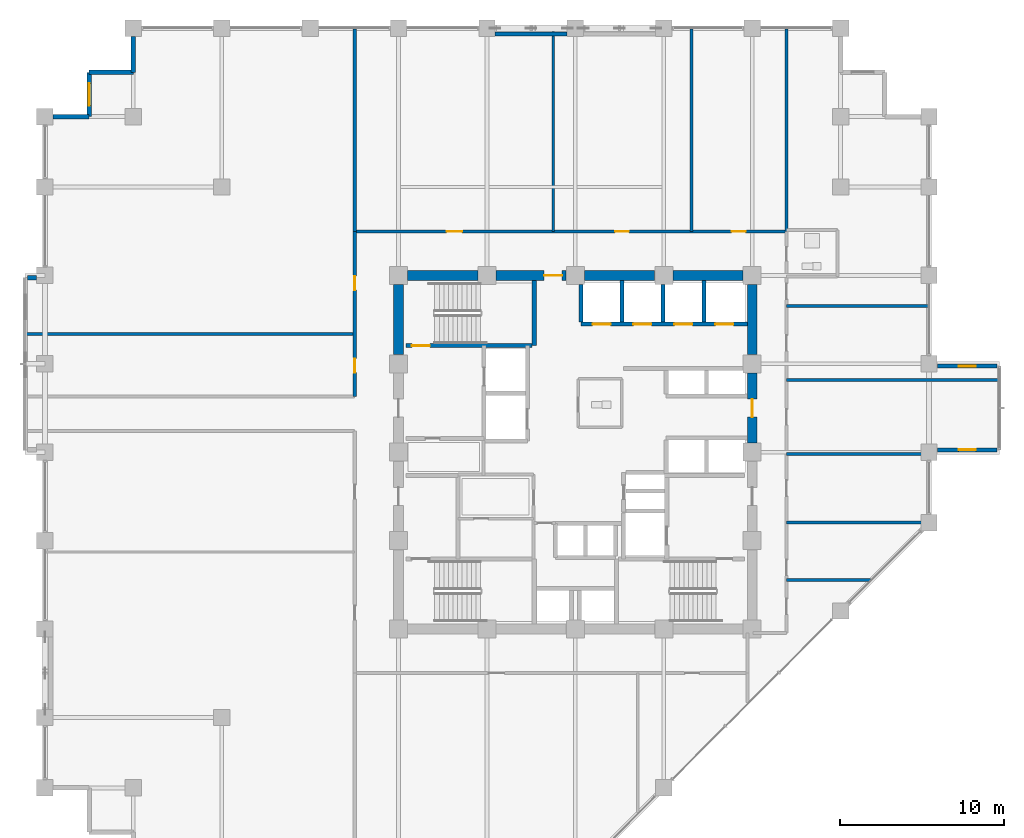
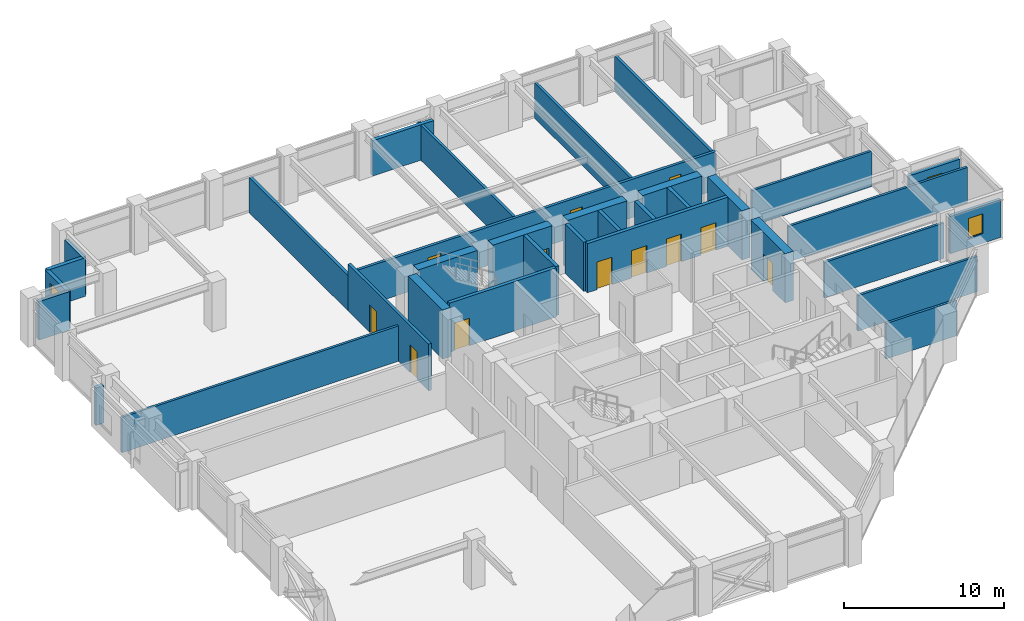
# One storey, part 21 of 26: 34 walls, 12 doors, 3 windows, 15 openings.
"""IFC4 building model written with IfcOpenShell, lengths in metres."""

from ifc_helpers import new_model, si_unit, direction, frame, frame_2d, origin, place, context, subcontext, project, spatial, rectangle, extrude, material, layer, layer_set, type_object, element, fill, save


model = new_model("IFC4")

# Units and contexts
model_context = context("Model", 3, precision=1e-05, world=origin(), true_north=direction((0.0, 1.0)))
body_context = subcontext(model_context, "Body", "Model", "MODEL_VIEW")
ifc_project = project(units=[si_unit("LENGTHUNIT", "METRE"), si_unit("AREAUNIT", "SQUARE_METRE"), si_unit("VOLUMEUNIT", "CUBIC_METRE"), si_unit("PLANEANGLEUNIT", "RADIAN"), si_unit("MASSUNIT", "GRAM", prefix="KILO")], contexts=[model_context])

# Site, building, storey
site_placement = place(None, origin())
site = spatial("IfcSite", under=ifc_project, at=site_placement, CompositionType="ELEMENT")
building_placement = place(site_placement, origin())
building = spatial("IfcBuilding", under=site, at=building_placement, Name="Surkhivell Harbour Commons", CompositionType="ELEMENT")
storey_placement = place(building_placement, frame((0.0, 0.0, 147.0)))
storey = spatial("IfcBuildingStorey", under=building, at=storey_placement, Name="L38", CompositionType="ELEMENT", Elevation=147.0)

# Wall
ifc_material_1 = material(Name="Concrete C60/75", Category="concrete")
ifc_layer_1 = layer(ifc_material_1, 0.60009765625)
ifc_layer_set_1 = layer_set([ifc_layer_1], Name="Concrete C60/75")
wall_type_1 = type_object("IfcWallType", Name="WAL-CORE-600", PredefinedType="SHEAR", material=ifc_layer_set_1)
wall_1_placement = place(storey_placement, frame((-10.239990234375, 10.800048828125, 0.0), z_axis=(0.0, 0.0, 1.0), x_axis=(1.0, 0.0, 0.0)))
element("IfcWall", 1, at=wall_1_placement, inside=storey, type_object=wall_type_1, Name="L38 Core Shear Wall North 1", PredefinedType="SHEAR", context=body_context, shape_type="SweptSolid", body=[
    extrude(rectangle(XDim=4.280029296875, YDim=0.60009765625, at=frame_2d((2.14013671875, 0.0))), origin(), (0.0, 0.0, 1.0), 3.75),
])

# Wall, opening, door
wall_2_placement = place(storey_placement, frame((-4.840087890625, 10.800048828125, 0.0), z_axis=(0.0, 0.0, 1.0), x_axis=(1.0, 0.0, 0.0)))
wall_2 = element("IfcWall", 2, at=wall_2_placement, inside=storey, type_object=wall_type_1, Name="L38 Core Shear Wall North 2", PredefinedType="SHEAR", context=body_context, shape_type="SweptSolid", body=[
    extrude(rectangle(XDim=4.280029296875, YDim=0.60009765625, at=frame_2d((2.14013671875, 0.0))), origin(), (0.0, 0.0, 1.0), 3.75),
])
opening_1_placement = place(wall_2_placement, frame((2.929931640625, 0.0, 0.0)))
opening_1 = element("IfcOpeningElement", 3, at=opening_1_placement, cuts=wall_2, Name="Opening ID-2", PredefinedType="OPENING", context=body_context, shape_type="SweptSolid", body=[
    extrude(rectangle(XDim=1.10009765625, YDim=2.10009765625, at=frame_2d((0.550048828125, 1.050048828125))), frame((0.0, 0.31005859375, 0.0), z_axis=(0.0, -1.0, 0.0), x_axis=(1.0, 0.0, 0.0)), (0.0, 0.0, 1.0), 0.6201171875),
])
ifc_material_2 = material(Name="Hardwood-veneered fire-rated door leaf", Category="wood")
door_type_1 = type_object("IfcDoorType", Name="DOR-FD60-1100", OperationType="NOTDEFINED", PredefinedType="DOOR", material=ifc_material_2)
door_1_placement = place(opening_1_placement, origin())
door_1 = element("IfcDoor", 4, at=door_1_placement, inside=storey, type_object=door_type_1, Name="L38 Central Core Lift Hall North Corridor Door", OperationType="SINGLE_SWING_LEFT", OverallHeight=2.10009765625, OverallWidth=1.10009765625, PredefinedType="DOOR", context=body_context, shape_type="SweptSolid", body=[
    extrude(rectangle(XDim=1.10009765625, YDim=2.10009765625, at=frame_2d((0.550048828125, 1.050048828125))), frame((0.0, 0.02490234375, 0.0), z_axis=(0.0, -1.0, 0.0), x_axis=(1.0, 0.0, 0.0)), (0.0, 0.0, 1.0), 0.050048828125),
])
fill(opening_1, door_1)

# Wall
wall_3_placement = place(storey_placement, frame((0.56005859375, 10.800048828125, 0.0), z_axis=(0.0, 0.0, 1.0), x_axis=(1.0, 0.0, 0.0)))
element("IfcWall", 5, at=wall_3_placement, inside=storey, type_object=wall_type_1, Name="L38 Core Shear Wall North 3", PredefinedType="SHEAR", context=body_context, shape_type="SweptSolid", body=[
    extrude(rectangle(XDim=4.280029296875, YDim=0.60009765625, at=frame_2d((2.14013671875, 0.0))), origin(), (0.0, 0.0, 1.0), 3.75),
])

# Wall, opening, door
wall_4_placement = place(storey_placement, frame((10.800048828125, 0.56005859375, 0.0), z_axis=(0.0, 0.0, 1.0), x_axis=(0.0, 1.0, 0.0)))
wall_4 = element("IfcWall", 6, at=wall_4_placement, inside=storey, type_object=wall_type_1, Name="L38 Core Shear Wall East 3", PredefinedType="SHEAR", context=body_context, shape_type="SweptSolid", body=[
    extrude(rectangle(XDim=4.280029296875, YDim=0.60009765625, at=frame_2d((2.14013671875, 0.0))), origin(), (0.0, 0.0, 1.0), 3.75),
])
opening_2_placement = place(wall_4_placement, frame((1.590087890625, 0.0, 0.0)))
opening_2 = element("IfcOpeningElement", 7, at=opening_2_placement, cuts=wall_4, Name="Opening ID-2", PredefinedType="OPENING", context=body_context, shape_type="SweptSolid", body=[
    extrude(rectangle(XDim=1.10009765625, YDim=2.10009765625, at=frame_2d((0.550048828125, 1.050048828125))), frame((0.0, 0.31005859375, 0.0), z_axis=(0.0, -1.0, 0.0), x_axis=(1.0, 0.0, 0.0)), (0.0, 0.0, 1.0), 0.6201171875),
])
door_2_placement = place(opening_2_placement, origin())
door_2 = element("IfcDoor", 8, at=door_2_placement, inside=storey, type_object=door_type_1, Name="L38 Mid-Rise Lobby East Door", OperationType="SINGLE_SWING_LEFT", OverallHeight=2.10009765625, OverallWidth=1.10009765625, PredefinedType="DOOR", context=body_context, shape_type="SweptSolid", body=[
    extrude(rectangle(XDim=1.10009765625, YDim=2.10009765625, at=frame_2d((0.550048828125, 1.050048828125))), frame((0.0, 0.02490234375, 0.0), z_axis=(0.0, -1.0, 0.0), x_axis=(1.0, 0.0, 0.0)), (0.0, 0.0, 1.0), 0.050048828125),
])
fill(opening_2, door_2)

# Walls
for number, where, z_axis, x_axis, name in (
    (9, (5.9599609375, 10.800048828125, 0.0), (0.0, 0.0, 1.0), (1.0, 0.0, 0.0), "L38 Core Shear Wall North 4"),
    (10, (-10.800048828125, 5.9599609375, 0.0), (0.0, 0.0, 1.0), (0.0, 1.0, 0.0), "L38 Core Shear Wall West 4"),
    (11, (10.800048828125, 5.9599609375, 0.0), (0.0, 0.0, 1.0), (0.0, 1.0, 0.0), "L38 Core Shear Wall East 4"),
):
    element("IfcWall", number, at=place(storey_placement, frame(where, z_axis=z_axis, x_axis=x_axis)), inside=storey, type_object=wall_type_1, Name=name, PredefinedType="SHEAR", context=body_context, shape_type="SweptSolid", body=[
        extrude(rectangle(XDim=4.280029296875, YDim=0.60009765625, at=frame_2d((2.14013671875, 0.0))), origin(), (0.0, 0.0, 1.0), 3.75),
    ])
ifc_material_3 = material(Name="Pale-metal insulated precast concrete C45/55", Category="concrete")
ifc_layer_2 = layer(ifc_material_3, 0.260009765625)
ifc_layer_set_2 = layer_set([ifc_layer_2], Name="Pale-metal insulated precast concrete C45/55")
wall_type_2 = type_object("IfcWallType", Name="WAL-EXT-MTL260", PredefinedType="STANDARD", material=ifc_layer_set_2)
wall_5_placement = place(storey_placement, frame((-0.498046875, 25.5400390625, 0.0), z_axis=(0.0, 0.0, 1.0), x_axis=(-1.0, 0.0, 0.0)))
element("IfcWall", 12, at=wall_5_placement, inside=storey, type_object=wall_type_2, Name="L38 Braced-Bay Insulated Spandrel Backing N", PredefinedType="STANDARD", context=body_context, shape_type="SweptSolid", body=[
    extrude(rectangle(XDim=4.404052734375, YDim=0.260009765625, at=frame_2d((2.2021484375, 0.0))), origin(), (0.0, 0.0, 1.0), 2.698974609375),
])

# Wall, opening, window
ifc_material_4 = material(Name="Bronze-ochre cassette precast concrete C45/55", Category="concrete")
ifc_layer_3 = layer(ifc_material_4, 0.239990234375)
ifc_layer_set_3 = layer_set([ifc_layer_3], Name="Bronze-ochre cassette precast concrete C45/55")
wall_type_3 = type_object("IfcWallType", Name="WAL-EXT-OCH240", PredefinedType="STANDARD", material=ifc_layer_set_3)
wall_6_placement = place(storey_placement, frame((22.10400390625, 0.139892578125, 0.0), z_axis=(0.0, 0.0, 1.0), x_axis=(1.0, 0.0, 0.0)))
wall_6 = element("IfcWall", 13, at=wall_6_placement, inside=storey, type_object=wall_type_3, Name="L38 Coloured Box Return Wall 01S", PredefinedType="STANDARD", context=body_context, shape_type="SweptSolid", body=[
    extrude(rectangle(XDim=3.656005859375, YDim=0.239990234375, at=frame_2d((1.828125, 0.0))), origin(), (0.0, 0.0, 1.0), 2.85693359375),
])
opening_3_placement = place(wall_6_placement, frame((1.302978515625, 0.0, 0.75)))
opening_3 = element("IfcOpeningElement", 14, at=opening_3_placement, cuts=wall_6, Name="Opening WN-11", PredefinedType="OPENING", context=body_context, shape_type="SweptSolid", body=[
    extrude(rectangle(XDim=1.050048828125, YDim=1.5, at=frame_2d((0.52490234375, 0.75))), frame((0.0, 0.1298828125, 0.0), z_axis=(0.0, -1.0, 0.0), x_axis=(1.0, 0.0, 0.0)), (0.0, 0.0, 1.0), 0.260009765625),
])
ifc_material_5 = material(Name="Thermal-break aluminium frame and double low-E glazing", Category="aluminium")
window_type_1 = type_object("IfcWindowType", Name="WIN-SER-1050x1500", PartitioningType="SINGLE_PANEL", PredefinedType="WINDOW", material=ifc_material_5)
window_1_placement = place(opening_3_placement, origin())
window_1 = element("IfcWindow", 15, at=window_1_placement, inside=storey, type_object=window_type_1, Name="L38 Coloured Box Return Window 01S", OverallHeight=1.5, OverallWidth=1.050048828125, PartitioningType="SINGLE_PANEL", PredefinedType="WINDOW", context=body_context, shape_type="SweptSolid", body=[
    extrude(rectangle(XDim=1.050048828125, YDim=1.5, at=frame_2d((0.52490234375, 0.75))), frame((0.0, 0.030029296875, 0.0), z_axis=(0.0, -1.0, 0.0), x_axis=(1.0, 0.0, 0.0)), (0.0, 0.0, 1.0), 0.06005859375),
])
fill(opening_3, window_1)

wall_7_placement = place(storey_placement, frame((22.10400390625, 5.260009765625, 0.0), z_axis=(0.0, 0.0, 1.0), x_axis=(1.0, 0.0, 0.0)))
wall_7 = element("IfcWall", 16, at=wall_7_placement, inside=storey, type_object=wall_type_3, Name="L38 Coloured Box Return Wall 01N", PredefinedType="STANDARD", context=body_context, shape_type="SweptSolid", body=[
    extrude(rectangle(XDim=3.656005859375, YDim=0.239990234375, at=frame_2d((1.828125, 0.0))), origin(), (0.0, 0.0, 1.0), 2.85693359375),
])
opening_4_placement = place(wall_7_placement, frame((1.302978515625, 0.0, 0.75)))
opening_4 = element("IfcOpeningElement", 17, at=opening_4_placement, cuts=wall_7, Name="Opening WN-11", PredefinedType="OPENING", context=body_context, shape_type="SweptSolid", body=[
    extrude(rectangle(XDim=1.050048828125, YDim=1.5, at=frame_2d((0.52490234375, 0.75))), frame((0.0, 0.1298828125, 0.0), z_axis=(0.0, -1.0, 0.0), x_axis=(1.0, 0.0, 0.0)), (0.0, 0.0, 1.0), 0.260009765625),
])
window_2_placement = place(opening_4_placement, origin())
window_2 = element("IfcWindow", 18, at=window_2_placement, inside=storey, type_object=window_type_1, Name="L38 Coloured Box Return Window 01N", OverallHeight=1.5, OverallWidth=1.050048828125, PartitioningType="SINGLE_PANEL", PredefinedType="WINDOW", context=body_context, shape_type="SweptSolid", body=[
    extrude(rectangle(XDim=1.050048828125, YDim=1.5, at=frame_2d((0.52490234375, 0.75))), frame((0.0, 0.030029296875, 0.0), z_axis=(0.0, -1.0, 0.0), x_axis=(1.0, 0.0, 0.0)), (0.0, 0.0, 1.0), 0.06005859375),
])
fill(opening_4, window_2)

# Walls
ifc_material_6 = material(Name="Terracotta-clad reinforced concrete C45/55", Category="masonry")
ifc_layer_4 = layer(ifc_material_6, 0.280029296875)
ifc_layer_set_4 = layer_set([ifc_layer_4], Name="Terracotta-clad reinforced concrete C45/55")
wall_type_4 = type_object("IfcWallType", Name="WAL-EXT-TER280", PredefinedType="STANDARD", material=ifc_layer_set_4)
wall_8_placement = place(storey_placement, frame((-27.0, 25.402099609375, 0.0), z_axis=(0.0, 0.0, 1.0), x_axis=(0.0, -1.0, 0.0)))
element("IfcWall", 19, at=wall_8_placement, inside=storey, type_object=wall_type_4, Name="L38 Serrated Corner Facade Wall 08", PredefinedType="STANDARD", context=body_context, shape_type="SweptSolid", body=[
    extrude(rectangle(XDim=2.2021484375, YDim=0.280029296875, at=frame_2d((1.10107421875, 0.0))), origin(), (0.0, 0.0, 1.0), 2.93310546875),
])
wall_9_placement = place(storey_placement, frame((-27.0, 23.199951171875, 0.0), z_axis=(0.0, 0.0, 1.0), x_axis=(-1.0, 0.0, 0.0)))
element("IfcWall", 20, at=wall_9_placement, inside=storey, type_object=wall_type_4, Name="L38 Serrated Corner Facade Wall 09", PredefinedType="STANDARD", context=body_context, shape_type="SweptSolid", body=[
    extrude(rectangle(XDim=2.699951171875, YDim=0.280029296875, at=frame_2d((1.35009765625, 0.0))), origin(), (0.0, 0.0, 1.0), 2.93310546875),
])

# Wall, opening, window
wall_10_placement = place(storey_placement, frame((-29.699951171875, 23.199951171875, 0.0), z_axis=(0.0, 0.0, 1.0), x_axis=(0.0, -1.0, 0.0)))
wall_10 = element("IfcWall", 21, at=wall_10_placement, inside=storey, type_object=wall_type_4, Name="L38 Serrated Corner Facade Wall 10", PredefinedType="STANDARD", context=body_context, shape_type="SweptSolid", body=[
    extrude(rectangle(XDim=2.699951171875, YDim=0.280029296875, at=frame_2d((1.35009765625, 0.0))), origin(), (0.0, 0.0, 1.0), 2.93310546875),
])
opening_5_placement = place(wall_10_placement, frame((0.675048828125, 0.0, 0.64990234375)))
opening_5 = element("IfcOpeningElement", 22, at=opening_5_placement, cuts=wall_10, Name="Opening WN-08", PredefinedType="OPENING", context=body_context, shape_type="SweptSolid", body=[
    extrude(rectangle(XDim=1.35009765625, YDim=1.64990234375, at=frame_2d((0.675048828125, 0.824951171875))), frame((0.0, 0.14990234375, 0.0), z_axis=(0.0, -1.0, 0.0), x_axis=(1.0, 0.0, 0.0)), (0.0, 0.0, 1.0), 0.300048828125),
])
window_type_2 = type_object("IfcWindowType", Name="WIN-SER-1350x1650", PartitioningType="SINGLE_PANEL", PredefinedType="WINDOW", material=ifc_material_5)
window_3_placement = place(opening_5_placement, origin())
window_3 = element("IfcWindow", 23, at=window_3_placement, inside=storey, type_object=window_type_2, Name="L38 Serrated Alcove Window 10", OverallHeight=1.64990234375, OverallWidth=1.35009765625, PartitioningType="SINGLE_PANEL", PredefinedType="WINDOW", context=body_context, shape_type="SweptSolid", body=[
    extrude(rectangle(XDim=1.35009765625, YDim=1.64990234375, at=frame_2d((0.675048828125, 0.824951171875))), frame((0.0, 0.030029296875, 0.0), z_axis=(0.0, -1.0, 0.0), x_axis=(1.0, 0.0, 0.0)), (0.0, 0.0, 1.0), 0.06005859375),
])
fill(opening_5, window_3)

# Walls
wall_11_placement = place(storey_placement, frame((-29.699951171875, 20.5, 0.0), z_axis=(0.0, 0.0, 1.0), x_axis=(-1.0, 0.0, 0.0)))
element("IfcWall", 24, at=wall_11_placement, inside=storey, type_object=wall_type_4, Name="L38 Serrated Corner Facade Wall 11", PredefinedType="STANDARD", context=body_context, shape_type="SweptSolid", body=[
    extrude(rectangle(XDim=2.2021484375, YDim=0.280029296875, at=frame_2d((1.10107421875, 0.0))), origin(), (0.0, 0.0, 1.0), 2.93310546875),
])
wall_12_placement = place(storey_placement, frame((-33.4599609375, 10.659912109375, 0.0), z_axis=(0.0, 0.0, 1.0), x_axis=(1.0, 0.0, 0.0)))
element("IfcWall", 25, at=wall_12_placement, inside=storey, type_object=wall_type_4, Name="L38 Coloured Box Return Wall 02N", PredefinedType="STANDARD", context=body_context, shape_type="SweptSolid", body=[
    extrude(rectangle(XDim=0.555908203125, YDim=0.280029296875, at=frame_2d((0.27783203125, 0.0))), origin(), (0.0, 0.0, 1.0), 2.85693359375),
])
ifc_material_7 = material(Name="High-density acoustic blockwork fire partition", Category="masonry")
ifc_layer_5 = layer(ifc_material_7, 0.175048828125)
ifc_layer_set_5 = layer_set([ifc_layer_5], Name="High-density acoustic blockwork fire partition")
wall_type_5 = type_object("IfcWallType", Name="WAL-INT-175", PredefinedType="PARTITIONING", material=ifc_layer_set_5)
wall_13_placement = place(storey_placement, frame((12.89990234375, -4.2900390625, 0.0), z_axis=(0.0, 0.0, 1.0), x_axis=(1.0, 0.0, 0.0)))
element("IfcWall", 26, at=wall_13_placement, inside=storey, type_object=wall_type_5, Name="L38 East Partition BDP1", PredefinedType="PARTITIONING", context=body_context, shape_type="SweptSolid", body=[
    extrude(rectangle(XDim=8.625244140625, YDim=0.175048828125, at=frame_2d((4.3125, 0.0))), origin(), (0.0, 0.0, 1.0), 2.698974609375),
])
wall_14_placement = place(storey_placement, frame((12.89990234375, -0.10009765625, 0.0), z_axis=(0.0, 0.0, 1.0), x_axis=(1.0, 0.0, 0.0)))
element("IfcWall", 27, at=wall_14_placement, inside=storey, type_object=wall_type_5, Name="L38 East Partition BDP2", PredefinedType="PARTITIONING", context=body_context, shape_type="SweptSolid", body=[
    extrude(rectangle(XDim=8.64013671875, YDim=0.175048828125, at=frame_2d((4.320068359375, 0.0))), origin(), (0.0, 0.0, 1.0), 2.698974609375),
])
wall_15_placement = place(storey_placement, frame((12.89990234375, 4.409912109375, 0.0), z_axis=(0.0, 0.0, 1.0), x_axis=(1.0, 0.0, 0.0)))
element("IfcWall", 28, at=wall_15_placement, inside=storey, type_object=wall_type_5, Name="L38 East Partition BDP3", PredefinedType="PARTITIONING", context=body_context, shape_type="SweptSolid", body=[
    extrude(rectangle(XDim=12.940185546875, YDim=0.175048828125, at=frame_2d((6.47021484375, 0.0))), origin(), (0.0, 0.0, 1.0), 2.698974609375),
])
wall_16_placement = place(storey_placement, frame((12.89990234375, -7.800048828125, 0.0), z_axis=(0.0, 0.0, 1.0), x_axis=(1.0, 0.0, 0.0)))
element("IfcWall", 29, at=wall_16_placement, inside=storey, type_object=wall_type_5, Name="L38 East Partition PBOT", PredefinedType="PARTITIONING", context=body_context, shape_type="SweptSolid", body=[
    extrude(rectangle(XDim=5.115234375, YDim=0.175048828125, at=frame_2d((2.5576171875, 0.0))), origin(), (0.0, 0.0, 1.0), 2.698974609375),
])
wall_17_placement = place(storey_placement, frame((12.89990234375, 8.929931640625, 0.0), z_axis=(0.0, 0.0, 1.0), x_axis=(1.0, 0.0, 0.0)))
element("IfcWall", 30, at=wall_17_placement, inside=storey, type_object=wall_type_5, Name="L38 East Partition PTOP", PredefinedType="PARTITIONING", context=body_context, shape_type="SweptSolid", body=[
    extrude(rectangle(XDim=8.64013671875, YDim=0.175048828125, at=frame_2d((4.320068359375, 0.0))), origin(), (0.0, 0.0, 1.0), 2.698974609375),
])
for number, where, z_axis, x_axis, name in (
    (31, (-1.35009765625, 13.47998046875, 0.0), (0.0, 0.0, 1.0), (0.0, 1.0, 0.0), "L38 North Partition P1"),
    (32, (7.10009765625, 13.47998046875, 0.0), (0.0, 0.0, 1.0), (0.0, 1.0, 0.0), "L38 North Partition P2"),
):
    element("IfcWall", number, at=place(storey_placement, frame(where, z_axis=z_axis, x_axis=x_axis)), inside=storey, type_object=wall_type_5, Name=name, PredefinedType="PARTITIONING", context=body_context, shape_type="SweptSolid", body=[
        extrude(rectangle(XDim=12.360107421875, YDim=0.175048828125, at=frame_2d((6.18017578125, 0.0))), origin(), (0.0, 0.0, 1.0), 2.698974609375),
    ])
wall_18_placement = place(storey_placement, frame((-33.5400390625, 7.22998046875, 0.0), z_axis=(0.0, 0.0, 1.0), x_axis=(1.0, 0.0, 0.0)))
element("IfcWall", 33, at=wall_18_placement, inside=storey, type_object=wall_type_5, Name="L38 North-West Partition P1", PredefinedType="PARTITIONING", context=body_context, shape_type="SweptSolid", body=[
    extrude(rectangle(XDim=20.06005859375, YDim=0.175048828125, at=frame_2d((10.030029296875, 0.0))), origin(), (0.0, 0.0, 1.0), 2.698974609375),
])
ifc_material_8 = material(Name="Autoclaved aerated concrete blockwork and fire plaster", Category="masonry")
ifc_layer_6 = layer(ifc_material_8, 0.199951171875)
ifc_layer_set_6 = layer_set([ifc_layer_6], Name="Autoclaved aerated concrete blockwork and fire plaster")
wall_type_6 = type_object("IfcWallType", Name="WAL-INT-200", PredefinedType="PARTITIONING", material=ifc_layer_set_6)
for number, where, z_axis, x_axis, name in (
    (34, (12.89990234375, 13.47998046875, 0.0), (0.0, 0.0, 1.0), (0.0, 1.0, 0.0), "L38 North-East Wing Corner Divider"),
    (35, (-13.47998046875, 13.47998046875, 0.0), (0.0, 0.0, 1.0), (0.0, 1.0, 0.0), "L38 North-West Wing Corner Divider"),
):
    element("IfcWall", number, at=place(storey_placement, frame(where, z_axis=z_axis, x_axis=x_axis)), inside=storey, type_object=wall_type_6, Name=name, PredefinedType="PARTITIONING", context=body_context, shape_type="SweptSolid", body=[
        extrude(rectangle(XDim=12.360107421875, YDim=0.199951171875, at=frame_2d((6.18017578125, 0.0))), origin(), (0.0, 0.0, 1.0), 2.698974609375),
    ])

# Wall, openings, doors
wall_19_placement = place(storey_placement, frame((-13.47998046875, 13.47998046875, 0.0), z_axis=(0.0, 0.0, 1.0), x_axis=(1.0, 0.0, 0.0)))
wall_19 = element("IfcWall", 36, at=wall_19_placement, inside=storey, type_object=wall_type_6, Name="L38 Corridor North Wall", PredefinedType="PARTITIONING", context=body_context, shape_type="SweptSolid", body=[
    extrude(rectangle(XDim=26.3798828125, YDim=0.199951171875, at=frame_2d((13.18994140625, 0.0))), origin(), (0.0, 0.0, 1.0), 2.93310546875),
])
opening_6_placement = place(wall_19_placement, frame((5.614990234375, 0.0, 0.0)))
opening_6 = element("IfcOpeningElement", 37, at=opening_6_placement, cuts=wall_19, Name="Opening ID-4", PredefinedType="OPENING", context=body_context, shape_type="SweptSolid", body=[
    extrude(rectangle(XDim=0.949951171875, YDim=2.10009765625, at=frame_2d((0.47509765625, 1.050048828125))), frame((0.0, 0.10986328125, 0.0), z_axis=(0.0, -1.0, 0.0), x_axis=(1.0, 0.0, 0.0)), (0.0, 0.0, 1.0), 0.219970703125),
])
opening_7_placement = place(wall_19_placement, frame((15.905029296875, 0.0, 0.0)))
opening_7 = element("IfcOpeningElement", 38, at=opening_7_placement, cuts=wall_19, Name="Opening ID-6", PredefinedType="OPENING", context=body_context, shape_type="SweptSolid", body=[
    extrude(rectangle(XDim=0.85009765625, YDim=2.10009765625, at=frame_2d((0.425048828125, 1.050048828125))), frame((0.0, 0.10986328125, 0.0), z_axis=(0.0, -1.0, 0.0), x_axis=(1.0, 0.0, 0.0)), (0.0, 0.0, 1.0), 0.219970703125),
])
opening_8_placement = place(wall_19_placement, frame((23.030029296875, 0.0, 0.0)))
opening_8 = element("IfcOpeningElement", 39, at=opening_8_placement, cuts=wall_19, Name="Opening ID-6", PredefinedType="OPENING", context=body_context, shape_type="SweptSolid", body=[
    extrude(rectangle(XDim=0.85009765625, YDim=2.10009765625, at=frame_2d((0.425048828125, 1.050048828125))), frame((0.0, 0.10986328125, 0.0), z_axis=(0.0, -1.0, 0.0), x_axis=(1.0, 0.0, 0.0)), (0.0, 0.0, 1.0), 0.219970703125),
])
door_type_2 = type_object("IfcDoorType", Name="DOR-FD30-850", OperationType="NOTDEFINED", PredefinedType="DOOR", material=ifc_material_2)
door_3_placement = place(opening_7_placement, origin())
door_3 = element("IfcDoor", 40, at=door_3_placement, inside=storey, type_object=door_type_2, Name="L38 Harbour Social Lounge North Door", OperationType="SINGLE_SWING_LEFT", OverallHeight=2.10009765625, OverallWidth=0.85009765625, PredefinedType="DOOR", context=body_context, shape_type="SweptSolid", body=[
    extrude(rectangle(XDim=0.85009765625, YDim=2.10009765625, at=frame_2d((0.425048828125, 1.050048828125))), frame((0.0, 0.02490234375, 0.0), z_axis=(0.0, -1.0, 0.0), x_axis=(1.0, 0.0, 0.0)), (0.0, 0.0, 1.0), 0.050048828125),
])
fill(opening_7, door_3)
door_4_placement = place(opening_8_placement, origin())
door_4 = element("IfcDoor", 41, at=door_4_placement, inside=storey, type_object=door_type_2, Name="L38 Resident Social Lounge 3 North Door", OperationType="SINGLE_SWING_RIGHT", OverallHeight=2.10009765625, OverallWidth=0.85009765625, PredefinedType="DOOR", context=body_context, shape_type="SweptSolid", body=[
    extrude(rectangle(XDim=0.85009765625, YDim=2.10009765625, at=frame_2d((0.425048828125, 1.050048828125))), frame((0.0, 0.02490234375, 0.0), z_axis=(0.0, -1.0, 0.0), x_axis=(1.0, 0.0, 0.0)), (0.0, 0.0, 1.0), 0.050048828125),
])
fill(opening_8, door_4)
door_type_3 = type_object("IfcDoorType", Name="DOR-FD60-950", OperationType="NOTDEFINED", PredefinedType="DOOR", material=ifc_material_2)
door_5_placement = place(opening_6_placement, origin())
door_5 = element("IfcDoor", 42, at=door_5_placement, inside=storey, type_object=door_type_3, Name="L38 Harbour Social Lounge North Door", OperationType="SINGLE_SWING_RIGHT", OverallHeight=2.10009765625, OverallWidth=0.949951171875, PredefinedType="DOOR", context=body_context, shape_type="SweptSolid", body=[
    extrude(rectangle(XDim=0.949951171875, YDim=2.10009765625, at=frame_2d((0.47509765625, 1.050048828125))), frame((0.0, 0.02490234375, 0.0), z_axis=(0.0, -1.0, 0.0), x_axis=(1.0, 0.0, 0.0)), (0.0, 0.0, 1.0), 0.050048828125),
])
fill(opening_6, door_5)

wall_20_placement = place(storey_placement, frame((-13.47998046875, 3.39990234375, 0.0), z_axis=(0.0, 0.0, 1.0), x_axis=(0.0, 1.0, 0.0)))
wall_20 = element("IfcWall", 43, at=wall_20_placement, inside=storey, type_object=wall_type_6, Name="L38 Corridor West-Upper Wall", PredefinedType="PARTITIONING", context=body_context, shape_type="SweptSolid", body=[
    extrude(rectangle(XDim=10.080078125, YDim=0.199951171875, at=frame_2d((5.0400390625, 0.0))), origin(), (0.0, 0.0, 1.0), 3.570068359375),
])
opening_9_placement = place(wall_20_placement, frame((1.465087890625, 0.0, 0.0)))
opening_9 = element("IfcOpeningElement", 44, at=opening_9_placement, cuts=wall_20, Name="Opening ID-6", PredefinedType="OPENING", context=body_context, shape_type="SweptSolid", body=[
    extrude(rectangle(XDim=0.85009765625, YDim=2.10009765625, at=frame_2d((0.425048828125, 1.050048828125))), frame((0.0, 0.10986328125, 0.0), z_axis=(0.0, -1.0, 0.0), x_axis=(1.0, 0.0, 0.0)), (0.0, 0.0, 1.0), 0.219970703125),
])
opening_10_placement = place(wall_20_placement, frame((6.5048828125, 0.0, 0.0)))
opening_10 = element("IfcOpeningElement", 45, at=opening_10_placement, cuts=wall_20, Name="Opening ID-6", PredefinedType="OPENING", context=body_context, shape_type="SweptSolid", body=[
    extrude(rectangle(XDim=0.85009765625, YDim=2.10009765625, at=frame_2d((0.425048828125, 1.050048828125))), frame((0.0, 0.10986328125, 0.0), z_axis=(0.0, -1.0, 0.0), x_axis=(1.0, 0.0, 0.0)), (0.0, 0.0, 1.0), 0.219970703125),
])
door_6_placement = place(opening_9_placement, origin())
door_6 = element("IfcDoor", 46, at=door_6_placement, inside=storey, type_object=door_type_2, Name="L38 Harbour Reading Library North-West Door", OperationType="SINGLE_SWING_RIGHT", OverallHeight=2.10009765625, OverallWidth=0.85009765625, PredefinedType="DOOR", context=body_context, shape_type="SweptSolid", body=[
    extrude(rectangle(XDim=0.85009765625, YDim=2.10009765625, at=frame_2d((0.425048828125, 1.050048828125))), frame((0.0, 0.02490234375, 0.0), z_axis=(0.0, -1.0, 0.0), x_axis=(1.0, 0.0, 0.0)), (0.0, 0.0, 1.0), 0.050048828125),
])
fill(opening_9, door_6)
door_7_placement = place(opening_10_placement, origin())
door_7 = element("IfcDoor", 47, at=door_7_placement, inside=storey, type_object=door_type_2, Name="L38 Communal Dining Hall North-West Door", OperationType="SINGLE_SWING_LEFT", OverallHeight=2.10009765625, OverallWidth=0.85009765625, PredefinedType="DOOR", context=body_context, shape_type="SweptSolid", body=[
    extrude(rectangle(XDim=0.85009765625, YDim=2.10009765625, at=frame_2d((0.425048828125, 1.050048828125))), frame((0.0, 0.02490234375, 0.0), z_axis=(0.0, -1.0, 0.0), x_axis=(1.0, 0.0, 0.0)), (0.0, 0.0, 1.0), 0.050048828125),
])
fill(opening_10, door_7)

# Walls
ifc_material_9 = material(Name="Concrete C50/60", Category="concrete")
ifc_layer_7 = layer(ifc_material_9, 0.25)
ifc_layer_set_7 = layer_set([ifc_layer_7], Name="Concrete C50/60")
wall_type_7 = type_object("IfcWallType", Name="WAL-SHAFT-250", PredefinedType="SHEAR", material=ifc_layer_set_7)
wall_21_placement = place(storey_placement, frame((2.85009765625, 7.93994140625, 0.0), z_axis=(0.0, 0.0, 1.0), x_axis=(0.0, 1.0, 0.0)))
element("IfcWall", 48, at=wall_21_placement, inside=storey, type_object=wall_type_7, Name="L38 Low-Rise Hoistway Wall", PredefinedType="SHEAR", context=body_context, shape_type="SweptSolid", body=[
    extrude(rectangle(XDim=2.56005859375, YDim=0.25, at=frame_2d((1.280029296875, 0.0))), origin(), (0.0, 0.0, 1.0), 3.75),
])
for number, where, z_axis, x_axis, name in (
    (49, (0.35009765625, 7.93994140625, 0.0), (0.0, 0.0, 1.0), (0.0, 1.0, 0.0), "L38 Low-Rise Hoistway Wall"),
    (50, (5.35009765625, 7.93994140625, 0.0), (0.0, 0.0, 1.0), (0.0, 1.0, 0.0), "L38 Low-Rise Hoistway Wall"),
):
    element("IfcWall", number, at=place(storey_placement, frame(where, z_axis=z_axis, x_axis=x_axis)), inside=storey, type_object=wall_type_7, Name=name, PredefinedType="SHEAR", context=body_context, shape_type="SweptSolid", body=[
        extrude(rectangle(XDim=2.31005859375, YDim=0.25, at=frame_2d((1.155029296875, 0.0))), origin(), (0.0, 0.0, 1.0), 3.75),
    ])
wall_22_placement = place(storey_placement, frame((7.85009765625, 7.93994140625, 0.0), z_axis=(0.0, 0.0, 1.0), x_axis=(0.0, 1.0, 0.0)))
element("IfcWall", 51, at=wall_22_placement, inside=storey, type_object=wall_type_7, Name="L38 Low-Rise Hoistway Wall", PredefinedType="SHEAR", context=body_context, shape_type="SweptSolid", body=[
    extrude(rectangle(XDim=2.56005859375, YDim=0.25, at=frame_2d((1.280029296875, 0.0))), origin(), (0.0, 0.0, 1.0), 3.75),
])

# Wall, openings, doors
wall_23_placement = place(storey_placement, frame((0.35009765625, 7.820068359375, 0.0), z_axis=(0.0, 0.0, 1.0), x_axis=(1.0, 0.0, 0.0)))
wall_23 = element("IfcWall", 52, at=wall_23_placement, inside=storey, type_object=wall_type_7, Name="L38 Low-Rise Lift Front Shaft Wall", PredefinedType="SHEAR", context=body_context, shape_type="SweptSolid", body=[
    extrude(rectangle(XDim=10.14990234375, YDim=0.25, at=frame_2d((5.074951171875, 0.0))), origin(), (0.0, 0.0, 1.0), 3.75),
])
opening_11_placement = place(wall_23_placement, frame((0.699951171875, 0.0, 0.0)))
opening_11 = element("IfcOpeningElement", 53, at=opening_11_placement, cuts=wall_23, Name="Opening LD-1", PredefinedType="OPENING", context=body_context, shape_type="SweptSolid", body=[
    extrude(rectangle(XDim=1.10009765625, YDim=2.10009765625, at=frame_2d((0.550048828125, 1.050048828125))), frame((0.0, 0.135009765625, 0.0), z_axis=(0.0, -1.0, 0.0), x_axis=(1.0, 0.0, 0.0)), (0.0, 0.0, 1.0), 0.27001953125),
])
opening_12_placement = place(wall_23_placement, frame((3.199951171875, 0.0, 0.0)))
opening_12 = element("IfcOpeningElement", 54, at=opening_12_placement, cuts=wall_23, Name="Opening LD-1", PredefinedType="OPENING", context=body_context, shape_type="SweptSolid", body=[
    extrude(rectangle(XDim=1.10009765625, YDim=2.10009765625, at=frame_2d((0.550048828125, 1.050048828125))), frame((0.0, 0.135009765625, 0.0), z_axis=(0.0, -1.0, 0.0), x_axis=(1.0, 0.0, 0.0)), (0.0, 0.0, 1.0), 0.27001953125),
])
opening_13_placement = place(wall_23_placement, frame((5.699951171875, 0.0, 0.0)))
opening_13 = element("IfcOpeningElement", 55, at=opening_13_placement, cuts=wall_23, Name="Opening LD-1", PredefinedType="OPENING", context=body_context, shape_type="SweptSolid", body=[
    extrude(rectangle(XDim=1.10009765625, YDim=2.10009765625, at=frame_2d((0.550048828125, 1.050048828125))), frame((0.0, 0.135009765625, 0.0), z_axis=(0.0, -1.0, 0.0), x_axis=(1.0, 0.0, 0.0)), (0.0, 0.0, 1.0), 0.27001953125),
])
opening_14_placement = place(wall_23_placement, frame((8.199951171875, 0.0, 0.0)))
opening_14 = element("IfcOpeningElement", 56, at=opening_14_placement, cuts=wall_23, Name="Opening LD-1", PredefinedType="OPENING", context=body_context, shape_type="SweptSolid", body=[
    extrude(rectangle(XDim=1.10009765625, YDim=2.10009765625, at=frame_2d((0.550048828125, 1.050048828125))), frame((0.0, 0.135009765625, 0.0), z_axis=(0.0, -1.0, 0.0), x_axis=(1.0, 0.0, 0.0)), (0.0, 0.0, 1.0), 0.27001953125),
])
ifc_material_10 = material(Name="Brushed stainless steel S355", Category="steel")
door_type_4 = type_object("IfcDoorType", Name="DOR-LD-1100", OperationType="SLIDING_TO_LEFT", PredefinedType="DOOR", material=ifc_material_10)
door_8_placement = place(opening_11_placement, origin())
door_8 = element("IfcDoor", 57, at=door_8_placement, inside=storey, type_object=door_type_4, Name="L38 Lift Landing Door LD-PL1", OperationType="SLIDING_TO_LEFT", OverallHeight=2.10009765625, OverallWidth=1.10009765625, PredefinedType="DOOR", context=body_context, shape_type="SweptSolid", body=[
    extrude(rectangle(XDim=1.10009765625, YDim=2.10009765625, at=frame_2d((0.550048828125, 1.050048828125))), frame((0.0, 0.02490234375, 0.0), z_axis=(0.0, -1.0, 0.0), x_axis=(1.0, 0.0, 0.0)), (0.0, 0.0, 1.0), 0.050048828125),
])
fill(opening_11, door_8)
door_9_placement = place(opening_12_placement, origin())
door_9 = element("IfcDoor", 58, at=door_9_placement, inside=storey, type_object=door_type_4, Name="L38 Lift Landing Door LD-PL2", OperationType="SLIDING_TO_LEFT", OverallHeight=2.10009765625, OverallWidth=1.10009765625, PredefinedType="DOOR", context=body_context, shape_type="SweptSolid", body=[
    extrude(rectangle(XDim=1.10009765625, YDim=2.10009765625, at=frame_2d((0.550048828125, 1.050048828125))), frame((0.0, 0.02490234375, 0.0), z_axis=(0.0, -1.0, 0.0), x_axis=(1.0, 0.0, 0.0)), (0.0, 0.0, 1.0), 0.050048828125),
])
fill(opening_12, door_9)
door_10_placement = place(opening_13_placement, origin())
door_10 = element("IfcDoor", 59, at=door_10_placement, inside=storey, type_object=door_type_4, Name="L38 Lift Landing Door LD-PL3", OperationType="SLIDING_TO_LEFT", OverallHeight=2.10009765625, OverallWidth=1.10009765625, PredefinedType="DOOR", context=body_context, shape_type="SweptSolid", body=[
    extrude(rectangle(XDim=1.10009765625, YDim=2.10009765625, at=frame_2d((0.550048828125, 1.050048828125))), frame((0.0, 0.02490234375, 0.0), z_axis=(0.0, -1.0, 0.0), x_axis=(1.0, 0.0, 0.0)), (0.0, 0.0, 1.0), 0.050048828125),
])
fill(opening_13, door_10)
door_11_placement = place(opening_14_placement, origin())
door_11 = element("IfcDoor", 60, at=door_11_placement, inside=storey, type_object=door_type_4, Name="L38 Lift Landing Door LD-PL4", OperationType="SLIDING_TO_LEFT", OverallHeight=2.10009765625, OverallWidth=1.10009765625, PredefinedType="DOOR", context=body_context, shape_type="SweptSolid", body=[
    extrude(rectangle(XDim=1.10009765625, YDim=2.10009765625, at=frame_2d((0.550048828125, 1.050048828125))), frame((0.0, 0.02490234375, 0.0), z_axis=(0.0, -1.0, 0.0), x_axis=(1.0, 0.0, 0.0)), (0.0, 0.0, 1.0), 0.050048828125),
])
fill(opening_14, door_11)

# Wall
wall_24_placement = place(storey_placement, frame((-2.510009765625, 6.510009765625, 0.0), z_axis=(0.0, 0.0, 1.0), x_axis=(0.0, 1.0, 0.0)))
element("IfcWall", 61, at=wall_24_placement, inside=storey, type_object=wall_type_7, Name="L38 Stair ST1 East Shear Wall", PredefinedType="SHEAR", context=body_context, shape_type="SweptSolid", body=[
    extrude(rectangle(XDim=3.989990234375, YDim=0.25, at=frame_2d((1.9951171875, 0.0))), origin(), (0.0, 0.0, 1.0), 3.75),
])

# Wall, opening, door
wall_25_placement = place(storey_placement, frame((-10.340087890625, 6.510009765625, 0.0), z_axis=(0.0, 0.0, 1.0), x_axis=(1.0, 0.0, 0.0)))
wall_25 = element("IfcWall", 62, at=wall_25_placement, inside=storey, type_object=wall_type_7, Name="L38 Stair ST1 South Shear Wall", PredefinedType="SHEAR", context=body_context, shape_type="SweptSolid", body=[
    extrude(rectangle(XDim=7.7001953125, YDim=0.25, at=frame_2d((3.85009765625, 0.0))), origin(), (0.0, 0.0, 1.0), 3.75),
])
opening_15_placement = place(wall_25_placement, frame((0.35009765625, 0.0, 0.0)))
opening_15 = element("IfcOpeningElement", 63, at=opening_15_placement, cuts=wall_25, Name="Opening ID-2", PredefinedType="OPENING", context=body_context, shape_type="SweptSolid", body=[
    extrude(rectangle(XDim=1.10009765625, YDim=2.10009765625, at=frame_2d((0.550048828125, 1.050048828125))), frame((0.0, 0.135009765625, 0.0), z_axis=(0.0, -1.0, 0.0), x_axis=(1.0, 0.0, 0.0)), (0.0, 0.0, 1.0), 0.27001953125),
])
door_12_placement = place(opening_15_placement, origin())
door_12 = element("IfcDoor", 64, at=door_12_placement, inside=storey, type_object=door_type_1, Name="L38 Stair ST1 Exit Door", OperationType="SINGLE_SWING_LEFT", OverallHeight=2.10009765625, OverallWidth=1.10009765625, PredefinedType="DOOR", context=body_context, shape_type="SweptSolid", body=[
    extrude(rectangle(XDim=1.10009765625, YDim=2.10009765625, at=frame_2d((0.550048828125, 1.050048828125))), frame((0.0, 0.02490234375, 0.0), z_axis=(0.0, -1.0, 0.0), x_axis=(1.0, 0.0, 0.0)), (0.0, 0.0, 1.0), 0.050048828125),
])
fill(opening_15, door_12)

save(model, "model.ifc")
